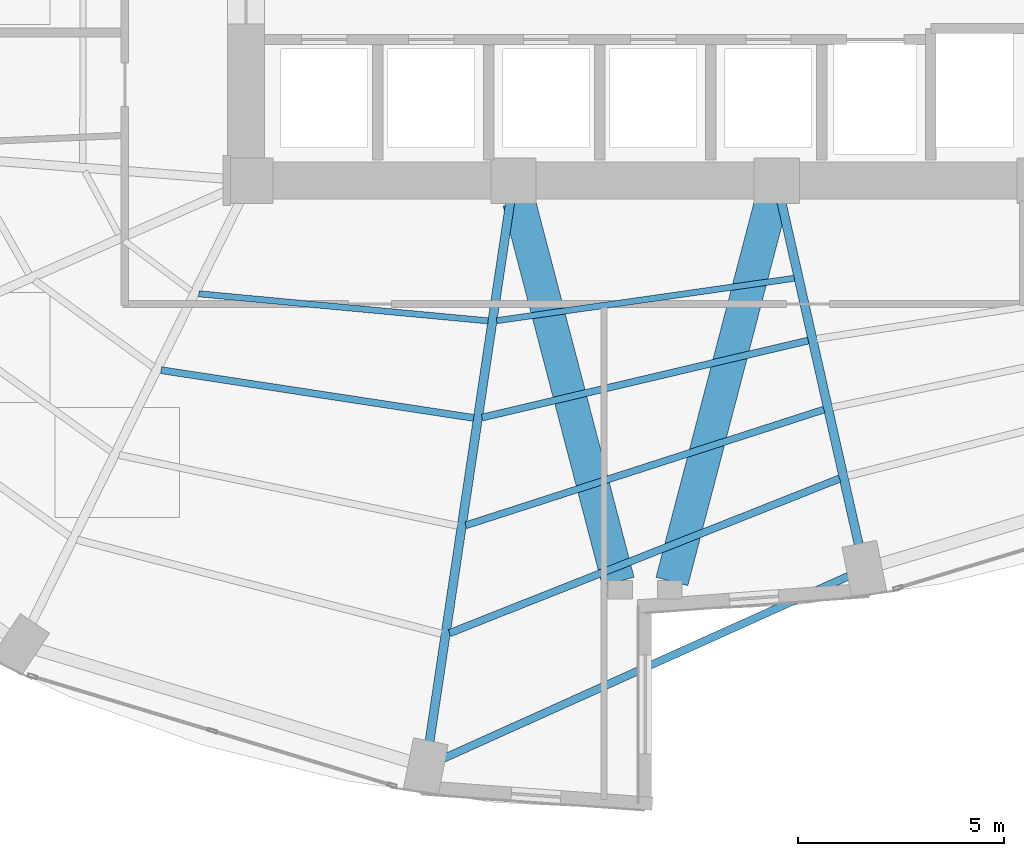
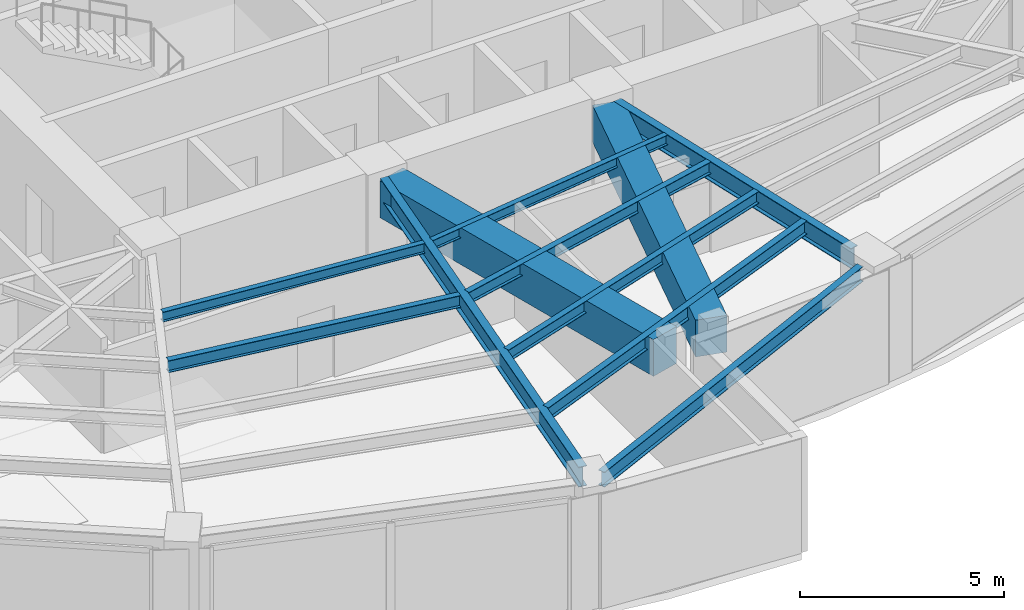
# One storey, part 6 of 24: 11 beams.
"""IFC4 building model written with IfcOpenShell, lengths in metres."""

from ifc_helpers import new_model, si_unit, direction, frame, origin, origin_2d, place, context, subcontext, project, spatial, rectangle, i_section, extrude, material, material_profile, profile_set, type_object, element, save


model = new_model("IFC4")

# Units and contexts
model_context = context("Model", 3, precision=1e-05, world=origin(), true_north=direction((0.0, 1.0)))
body_context = subcontext(model_context, "Body", "Model", "MODEL_VIEW")
ifc_project = project(units=[si_unit("LENGTHUNIT", "METRE"), si_unit("AREAUNIT", "SQUARE_METRE"), si_unit("VOLUMEUNIT", "CUBIC_METRE"), si_unit("PLANEANGLEUNIT", "RADIAN"), si_unit("MASSUNIT", "GRAM", prefix="KILO")], contexts=[model_context])

# Site, building, storey
site_placement = place(None, origin())
site = spatial("IfcSite", under=ifc_project, at=site_placement, CompositionType="ELEMENT")
building_placement = place(site_placement, origin())
building = spatial("IfcBuilding", under=site, at=building_placement, Name="Lazwardi Medical Tower", CompositionType="ELEMENT")
storey_placement = place(building_placement, frame((0.0, 0.0, 36.14404296875)))
storey = spatial("IfcBuildingStorey", under=building, at=storey_placement, Name="L08", CompositionType="ELEMENT", Elevation=36.14404296875)

# Beams
ifc_material_1 = material(Name="Concrete C70/85", Category="concrete")
ifc_material_profile_1 = material_profile(ifc_material_1, rectangle(XDim=0.800048828125, YDim=1.10009765625, at=origin_2d()), Name="RC 800x1100")
ifc_profile_set_1 = profile_set([ifc_material_profile_1], Name="Concrete C70/85")
beam_type_1 = type_object("IfcBeamType", Name="BM-CB-RC1", PredefinedType="LINTEL", material=ifc_profile_set_1)
for number, where, z_axis, x_axis, name in (
    (1, (32.935302734375, 19.88232421875, 2.8779296875), (0.252819877511, -0.967513364009, 0.0), (0.967513364009, 0.252819877511, 0.0), "Core coupling lintel CB-01 PL3 L08"),
    (2, (39.064697265625, 19.88232421875, 2.8779296875), (-0.252819877511, -0.967513364009, 0.0), (0.967513364009, -0.252819877511, 0.0), "Core coupling lintel CB-01 PL4 L08"),
):
    element("IfcBeam", number, at=place(storey_placement, frame(where, z_axis=z_axis, x_axis=x_axis)), inside=storey, type_object=beam_type_1, Name=name, PredefinedType="LINTEL", context=body_context, shape_type="SweptSolid", body=[
        extrude(rectangle(XDim=0.800048828125, YDim=1.10009765625, at=origin_2d()), origin(), (0.0, 0.0, 1.0), 9.538818359375),
    ])
ifc_material_2 = material(Name="Steel S355", Category="steel")
ifc_material_profile_2 = material_profile(ifc_material_2, i_section(OverallWidth=0.219970703125, OverallDepth=0.60009765625, WebThickness=0.011962890625, FlangeThickness=0.01904296875, at=origin_2d()), Name="IPE 600")
ifc_profile_set_2 = profile_set([ifc_material_profile_2], Name="Steel S355")
beam_type_2 = type_object("IfcBeamType", Name="BM-RG-W1", PredefinedType="BEAM", material=ifc_profile_set_2)
beam_1_placement = place(storey_placement, frame((41.203125, 11.521728515625, 3.1279296875), z_axis=(-0.22010079219, 0.975477135189, 0.0), x_axis=(-0.975477135189, -0.22010079219, 0.0)))
element("IfcBeam", 3, at=beam_1_placement, inside=storey, type_object=beam_type_2, Name="Radial girder RG-02 R01 L08", PredefinedType="BEAM", context=body_context, shape_type="SweptSolid", body=[
    extrude(i_section(OverallWidth=0.219970703125, OverallDepth=0.60009765625, WebThickness=0.011962890625, FlangeThickness=0.01904296875, at=origin_2d()), origin(), (0.0, 0.0, 1.0), 8.56640625),
])
beam_2_placement = place(storey_placement, frame((30.7548828125, 6.7294921875, 3.1279296875), z_axis=(0.147944218183, 0.98899570692, 0.0), x_axis=(-0.98899570692, 0.147944218183, 0.0)))
element("IfcBeam", 4, at=beam_2_placement, inside=storey, type_object=beam_type_2, Name="Radial girder RG-02 R16 L08", PredefinedType="BEAM", context=body_context, shape_type="SweptSolid", body=[
    extrude(i_section(OverallWidth=0.219970703125, OverallDepth=0.60009765625, WebThickness=0.011962890625, FlangeThickness=0.01904296875, at=origin_2d()), origin(), (0.0, 0.0, 1.0), 13.28759765625),
])
ifc_material_profile_3 = material_profile(ifc_material_2, i_section(OverallWidth=0.179931640625, OverallDepth=0.39990234375, WebThickness=0.008544921875, FlangeThickness=0.013427734375, at=origin_2d()), Name="IPE 400")
ifc_profile_set_3 = profile_set([ifc_material_profile_3], Name="Steel S355")
beam_type_3 = type_object("IfcBeamType", Name="BM-SJ-01", PredefinedType="JOIST", material=ifc_profile_set_3)
beam_3_placement = place(storey_placement, frame((31.245849609375, 9.396484375, 3.22802734375), z_axis=(0.929663713752, 0.368409255222, 0.0), x_axis=(-0.368409255222, 0.929663713752, 0.0)))
element("IfcBeam", 5, at=beam_3_placement, inside=storey, type_object=beam_type_3, Name="Secondary joist SJ-01 R1 B16 L08", PredefinedType="JOIST", context=body_context, shape_type="SweptSolid", body=[
    extrude(i_section(OverallWidth=0.179931640625, OverallDepth=0.39990234375, WebThickness=0.008544921875, FlangeThickness=0.013427734375, at=origin_2d()), origin(), (0.0, 0.0, 1.0), 10.2001953125),
])
ifc_material_profile_4 = material_profile(ifc_material_2, i_section(OverallWidth=0.169921875, OverallDepth=0.360107421875, WebThickness=0.008056640625, FlangeThickness=0.0126953125, at=origin_2d()), Name="IPE 360")
ifc_profile_set_4 = profile_set([ifc_material_profile_4], Name="Steel S355")
beam_type_4 = type_object("IfcBeamType", Name="BM-SJ-02", PredefinedType="JOIST", material=ifc_profile_set_4)
beam_4_placement = place(storey_placement, frame((31.64111328125, 12.018310546875, 3.248046875), z_axis=(0.951558895485, 0.307466532199, 0.0), x_axis=(-0.307466532199, 0.951558895485, 0.0)))
element("IfcBeam", 6, at=beam_4_placement, inside=storey, type_object=beam_type_4, Name="Secondary joist SJ-02 R2 B16 L08", PredefinedType="JOIST", context=body_context, shape_type="SweptSolid", body=[
    extrude(i_section(OverallWidth=0.169921875, OverallDepth=0.360107421875, WebThickness=0.008056640625, FlangeThickness=0.0126953125, at=origin_2d()), origin(), (0.0, 0.0, 1.0), 9.1513671875),
])
beam_5_placement = place(storey_placement, frame((24.23193359375, 15.790771484375, 3.248046875), z_axis=(0.988535611365, -0.150987897074, 0.0), x_axis=(0.150987897074, 0.988535611365, 0.0)))
element("IfcBeam", 7, at=beam_5_placement, inside=storey, type_object=beam_type_4, Name="Secondary joist SJ-02 R3 B15 L08", PredefinedType="JOIST", context=body_context, shape_type="SweptSolid", body=[
    extrude(i_section(OverallWidth=0.169921875, OverallDepth=0.360107421875, WebThickness=0.008056640625, FlangeThickness=0.0126953125, at=origin_2d()), origin(), (0.0, 0.0, 1.0), 7.68701171875),
])
beam_6_placement = place(storey_placement, frame((32.03662109375, 14.638427734375, 3.248046875), z_axis=(0.973240904247, 0.229787167397, 0.0), x_axis=(-0.229787167397, 0.973240904247, 0.0)))
element("IfcBeam", 8, at=beam_6_placement, inside=storey, type_object=beam_type_4, Name="Secondary joist SJ-02 R3 B16 L08", PredefinedType="JOIST", context=body_context, shape_type="SweptSolid", body=[
    extrude(i_section(OverallWidth=0.169921875, OverallDepth=0.360107421875, WebThickness=0.008056640625, FlangeThickness=0.0126953125, at=origin_2d()), origin(), (0.0, 0.0, 1.0), 8.151123046875),
])
ifc_material_profile_5 = material_profile(ifc_material_2, i_section(OverallWidth=0.14990234375, OverallDepth=0.300048828125, WebThickness=0.007080078125, FlangeThickness=0.0107421875, at=origin_2d()), Name="IPE 300")
ifc_profile_set_5 = profile_set([ifc_material_profile_5], Name="Steel S355")
beam_type_5 = type_object("IfcBeamType", Name="BM-SJ-03", PredefinedType="JOIST", material=ifc_profile_set_5)
beam_7_placement = place(storey_placement, frame((25.148193359375, 17.64794921875, 3.278076171875), z_axis=(0.995649263748, -0.093180167407, 0.0), x_axis=(0.093180167407, 0.995649263748, 0.0)))
element("IfcBeam", 9, at=beam_7_placement, inside=storey, type_object=beam_type_5, Name="Secondary joist SJ-03 R4 B15 L08", PredefinedType="JOIST", context=body_context, shape_type="SweptSolid", body=[
    extrude(i_section(OverallWidth=0.14990234375, OverallDepth=0.300048828125, WebThickness=0.007080078125, FlangeThickness=0.0107421875, at=origin_2d()), origin(), (0.0, 0.0, 1.0), 7.06640625),
])
beam_8_placement = place(storey_placement, frame((32.392333984375, 16.99462890625, 3.278076171875), z_axis=(0.99001552228, 0.140958382672, 0.0), x_axis=(-0.140958382672, 0.99001552228, 0.0)))
element("IfcBeam", 10, at=beam_8_placement, inside=storey, type_object=beam_type_5, Name="Secondary joist SJ-03 R4 B16 L08", PredefinedType="JOIST", context=body_context, shape_type="SweptSolid", body=[
    extrude(i_section(OverallWidth=0.14990234375, OverallDepth=0.300048828125, WebThickness=0.007080078125, FlangeThickness=0.0107421875, at=origin_2d()), origin(), (0.0, 0.0, 1.0), 7.30908203125),
])
ifc_material_profile_6 = material_profile(ifc_material_2, i_section(OverallWidth=0.18994140625, OverallDepth=0.449951171875, WebThickness=0.009521484375, FlangeThickness=0.0146484375, at=origin_2d()), Name="IPE 450")
ifc_profile_set_6 = profile_set([ifc_material_profile_6], Name="Steel S355")
beam_type_6 = type_object("IfcBeamType", Name="BM-SP-01", PredefinedType="SPANDREL", material=ifc_profile_set_6)
beam_9_placement = place(storey_placement, frame((31.05224609375, 6.328369140625, 3.202880859375), z_axis=(0.91184908894, 0.410525564368, 0.0), x_axis=(-0.410525564368, 0.91184908894, 0.0)))
element("IfcBeam", 11, at=beam_9_placement, inside=storey, type_object=beam_type_6, Name="Spandrel beam SP-01 B16 L08", PredefinedType="SPANDREL", context=body_context, shape_type="SweptSolid", body=[
    extrude(i_section(OverallWidth=0.18994140625, OverallDepth=0.449951171875, WebThickness=0.009521484375, FlangeThickness=0.0146484375, at=origin_2d()), origin(), (0.0, 0.0, 1.0), 10.85205078125),
])

save(model, "model.ifc")
